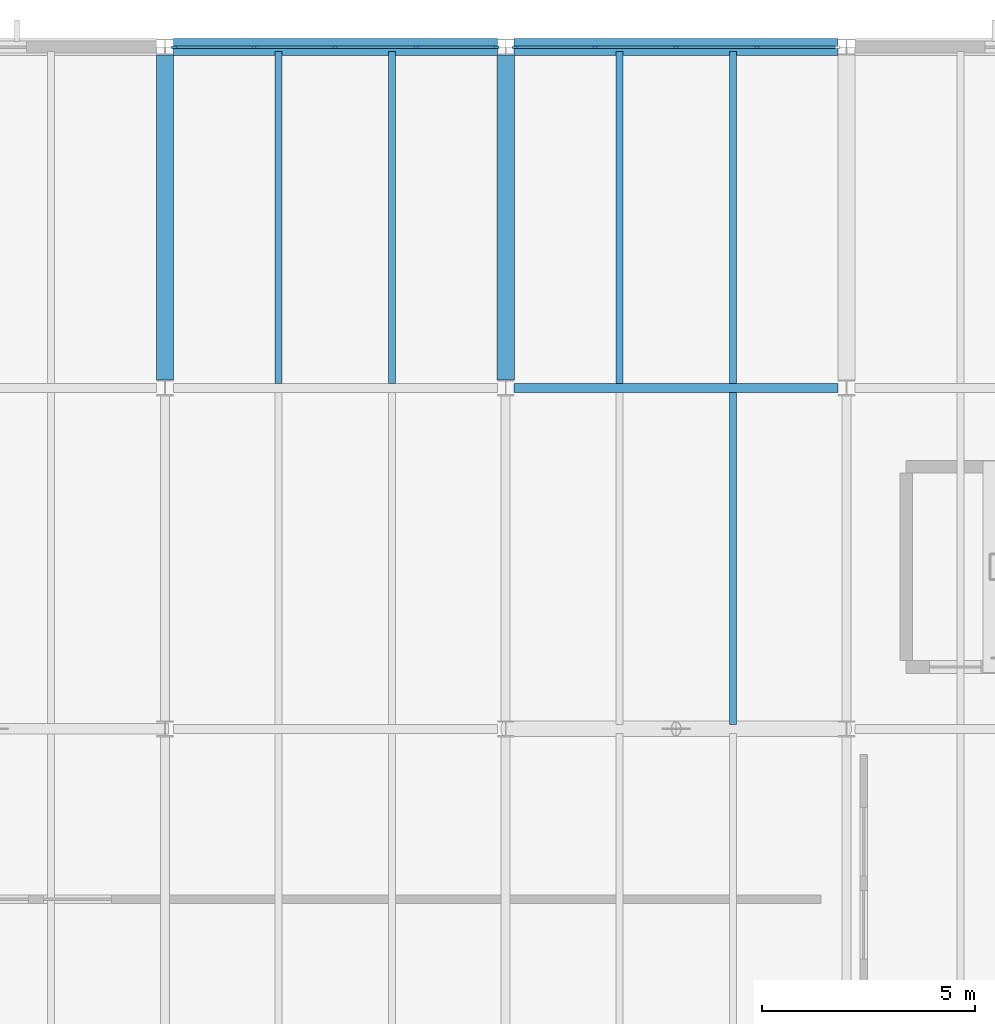
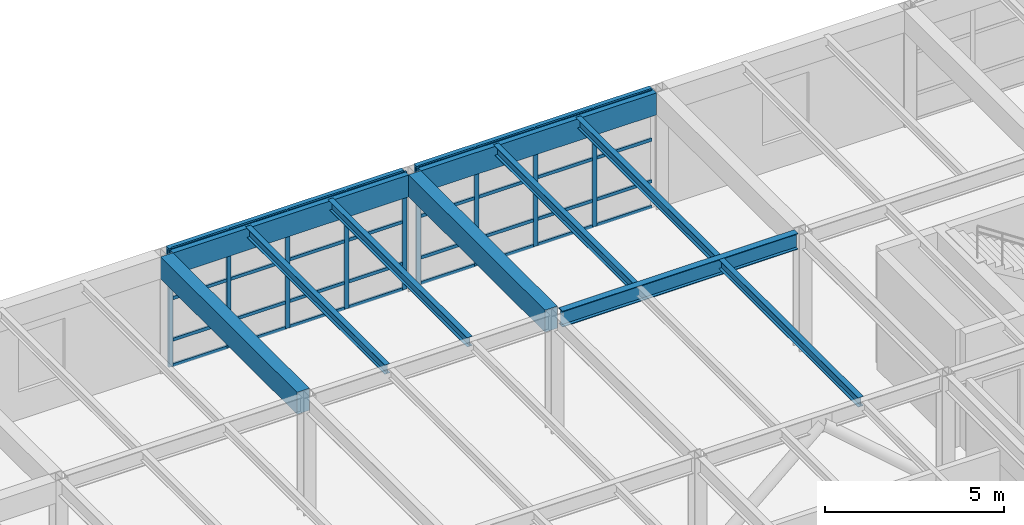
# One storey, part 16 of 48: 41 members, 10 beams, 2 elements without a shape of their own.
"""IFC4 building model written with IfcOpenShell, lengths in metres."""

from ifc_helpers import new_model, si_unit, direction, frame, origin, origin_2d, place, context, subcontext, project, spatial, rectangle, i_section, extrude, material, layer, layer_set, material_profile, profile_set, type_object, element, aggregate, save


model = new_model("IFC4")

# Units and contexts
model_context = context("Model", 3, precision=1e-05, world=origin(), true_north=direction((0.0, 1.0)))
body_context = subcontext(model_context, "Body", "Model", "MODEL_VIEW")
ifc_project = project(units=[si_unit("LENGTHUNIT", "METRE"), si_unit("AREAUNIT", "SQUARE_METRE"), si_unit("VOLUMEUNIT", "CUBIC_METRE"), si_unit("PLANEANGLEUNIT", "RADIAN"), si_unit("MASSUNIT", "GRAM", prefix="KILO")], contexts=[model_context])

# Site, building, storey
site_placement = place(None, origin())
site = spatial("IfcSite", under=ifc_project, at=site_placement, CompositionType="ELEMENT")
building_placement = place(site_placement, origin())
building = spatial("IfcBuilding", under=site, at=building_placement, Name="Varnela Railside Interchange", CompositionType="ELEMENT")
storey_placement = place(building_placement, frame((0.0, 0.0, 11.199951171875)))
storey = spatial("IfcBuildingStorey", under=building, at=storey_placement, Name="L02", CompositionType="ELEMENT", Elevation=11.199951171875)

# Beams
ifc_material_1 = material(Name="Steel AR 350 (350 MPa)", Category="steel")
ifc_material_profile_1 = material_profile(ifc_material_1, i_section(OverallWidth=0.2119140625, OverallDepth=0.5439453125, WebThickness=0.01318359375, FlangeThickness=0.021240234375, at=origin_2d()), Name="W530x123")
ifc_profile_set_1 = profile_set([ifc_material_profile_1], Name="Steel AR 350 (350 MPa)")
beam_type_1 = type_object("IfcBeamType", Name="Composite Heavy Girder B-16", PredefinedType="BEAM", material=ifc_profile_set_1)
beam_placement = place(storey_placement, frame((28.197021484375, 86.0, 3.72802734375), z_axis=(1.0, 0.0, 0.0), x_axis=(0.0, 1.0, 0.0)))
element("IfcBeam", 1, at=beam_placement, inside=storey, type_object=beam_type_1, Name="Composite Heavy Girder B-16 (L02) (BM-2006)", PredefinedType="BEAM", context=body_context, shape_type="SweptSolid", body=[
    extrude(i_section(OverallWidth=0.2119140625, OverallDepth=0.5439453125, WebThickness=0.01318359375, FlangeThickness=0.021240234375, at=origin_2d()), origin(), (0.0, 0.0, 1.0), 7.60595703125),
])
ifc_material_profile_2 = material_profile(ifc_material_1, i_section(OverallWidth=0.1669921875, OverallDepth=0.31689453125, WebThickness=0.007568359375, FlangeThickness=0.01318359375, at=origin_2d()), Name="W310x52")
ifc_profile_set_2 = profile_set([ifc_material_profile_2], Name="Steel AR 350 (350 MPa)")
beam_type_2 = type_object("IfcBeamType", Name="Composite Long-Span Joist J-03", PredefinedType="JOIST", material=ifc_profile_set_2)
for number, where, z_axis, x_axis, name in (
    (2, (22.669921875, 86.10595703125, 3.841552734375), (0.0, 1.0, 0.0), (-1.0, 0.0, 0.0), "Composite Long-Span Joist J-03 (L02) (BM-1886)"),
    (3, (25.330078125, 86.10595703125, 3.841552734375), (0.0, 1.0, 0.0), (-1.0, 0.0, 0.0), "Composite Long-Span Joist J-03 (L02) (BM-1887)"),
    (4, (33.330078125, 78.10595703125, 3.841552734375), (0.0, 1.0, 0.0), (-1.0, 0.0, 0.0), "Composite Long-Span Joist J-03 (L02) (BM-1905)"),
    (5, (30.669921875, 86.10595703125, 3.841552734375), (0.0, 1.0, 0.0), (-1.0, 0.0, 0.0), "Composite Long-Span Joist J-03 (L02) (BM-1896)"),
    (6, (33.330078125, 86.10595703125, 3.841552734375), (0.0, 1.0, 0.0), (-1.0, 0.0, 0.0), "Composite Long-Span Joist J-03 (L02) (BM-1897)"),
):
    element("IfcBeam", number, at=place(storey_placement, frame(where, z_axis=z_axis, x_axis=x_axis)), inside=storey, type_object=beam_type_2, Name=name, PredefinedType="JOIST", context=body_context, shape_type="SweptSolid", body=[
        extrude(i_section(OverallWidth=0.1669921875, OverallDepth=0.31689453125, WebThickness=0.007568359375, FlangeThickness=0.01318359375, at=origin_2d()), origin(), (0.0, 0.0, 1.0), 7.7880859375),
    ])

# Curtain wall, members
ifc_material_2 = material(Name="Aluminium 6063-T6", Category="aluminium")
ifc_layer = layer(ifc_material_2, 0.035888671875)
ifc_layer_set = layer_set([ifc_layer], Name="Aluminium 6063-T6")
curtain_wall_type = type_object("IfcCurtainWallType", Name="Operations Wing Facade Curtain Wall CW-03", PredefinedType="USERDEFINED", material=ifc_layer_set)
curtain_wall_1_placement = place(storey_placement, origin())
curtain_wall_1 = element("IfcCurtainWall", 7, at=curtain_wall_1_placement, inside=storey, type_object=curtain_wall_type, Name="Curtain Wall CW-03 (L02) (CW-074)", ObjectType="CURTAIN WALL", PredefinedType="USERDEFINED")
ifc_material_profile_3 = material_profile(ifc_material_2, rectangle(XDim=0.06005859375, YDim=0.139892578125, at=origin_2d()), Name="ALU 60x140")
ifc_profile_set_3 = profile_set([ifc_material_profile_3], Name="Aluminium 6063-T6")
member_type_1 = type_object("IfcMemberType", Name="Curtain Wall Mullion ML-01", PredefinedType="MULLION", material=ifc_profile_set_3)
member_1_placement = place(storey_placement, frame((20.22705078125, 94.0, 0.0), z_axis=(0.0, 0.0, 1.0), x_axis=(0.0, 1.0, 0.0)))
member_1 = element("IfcMember", 8, at=member_1_placement, type_object=member_type_1, Name="CW-03 mullion 1", PredefinedType="MULLION", context=body_context, shape_type="SweptSolid", body=[
    extrude(rectangle(XDim=0.06005859375, YDim=0.139892578125, at=origin_2d()), origin(), (0.0, 0.0, 1.0), 4.0),
])
member_2_placement = place(storey_placement, frame((22.098388671875, 94.0, 0.0), z_axis=(0.0, 0.0, 1.0), x_axis=(0.0, 1.0, 0.0)))
member_2 = element("IfcMember", 9, at=member_2_placement, type_object=member_type_1, Name="CW-03 mullion 2", PredefinedType="MULLION", context=body_context, shape_type="SweptSolid", body=[
    extrude(rectangle(XDim=0.06005859375, YDim=0.139892578125, at=origin_2d()), origin(), (0.0, 0.0, 1.0), 4.0),
])
member_3_placement = place(storey_placement, frame((24.0, 94.0, 0.0), z_axis=(0.0, 0.0, 1.0), x_axis=(0.0, 1.0, 0.0)))
member_3 = element("IfcMember", 10, at=member_3_placement, type_object=member_type_1, Name="CW-03 mullion 3", PredefinedType="MULLION", context=body_context, shape_type="SweptSolid", body=[
    extrude(rectangle(XDim=0.06005859375, YDim=0.139892578125, at=origin_2d()), origin(), (0.0, 0.0, 1.0), 4.0),
])
member_4_placement = place(storey_placement, frame((25.901611328125, 94.0, 0.0), z_axis=(0.0, 0.0, 1.0), x_axis=(0.0, 1.0, 0.0)))
member_4 = element("IfcMember", 11, at=member_4_placement, type_object=member_type_1, Name="CW-03 mullion 4", PredefinedType="MULLION", context=body_context, shape_type="SweptSolid", body=[
    extrude(rectangle(XDim=0.06005859375, YDim=0.139892578125, at=origin_2d()), origin(), (0.0, 0.0, 1.0), 4.0),
])
member_5_placement = place(storey_placement, frame((27.77294921875, 94.0, 0.0), z_axis=(0.0, 0.0, 1.0), x_axis=(0.0, 1.0, 0.0)))
member_5 = element("IfcMember", 12, at=member_5_placement, type_object=member_type_1, Name="CW-03 mullion 5", PredefinedType="MULLION", context=body_context, shape_type="SweptSolid", body=[
    extrude(rectangle(XDim=0.06005859375, YDim=0.139892578125, at=origin_2d()), origin(), (0.0, 0.0, 1.0), 4.0),
])

curtain_wall_2_placement = place(storey_placement, origin())
curtain_wall_2 = element("IfcCurtainWall", 13, at=curtain_wall_2_placement, inside=storey, type_object=curtain_wall_type, Name="Curtain Wall CW-03 (L02) (CW-075)", ObjectType="CURTAIN WALL", PredefinedType="USERDEFINED")
member_6_placement = place(storey_placement, frame((28.22705078125, 94.0, 0.0), z_axis=(0.0, 0.0, 1.0), x_axis=(0.0, 1.0, 0.0)))
member_6 = element("IfcMember", 14, at=member_6_placement, type_object=member_type_1, Name="CW-03 mullion 1", PredefinedType="MULLION", context=body_context, shape_type="SweptSolid", body=[
    extrude(rectangle(XDim=0.06005859375, YDim=0.139892578125, at=origin_2d()), origin(), (0.0, 0.0, 1.0), 4.0),
])
member_7_placement = place(storey_placement, frame((30.098388671875, 94.0, 0.0), z_axis=(0.0, 0.0, 1.0), x_axis=(0.0, 1.0, 0.0)))
member_7 = element("IfcMember", 15, at=member_7_placement, type_object=member_type_1, Name="CW-03 mullion 2", PredefinedType="MULLION", context=body_context, shape_type="SweptSolid", body=[
    extrude(rectangle(XDim=0.06005859375, YDim=0.139892578125, at=origin_2d()), origin(), (0.0, 0.0, 1.0), 4.0),
])
member_8_placement = place(storey_placement, frame((32.0, 94.0, 0.0), z_axis=(0.0, 0.0, 1.0), x_axis=(0.0, 1.0, 0.0)))
member_8 = element("IfcMember", 16, at=member_8_placement, type_object=member_type_1, Name="CW-03 mullion 3", PredefinedType="MULLION", context=body_context, shape_type="SweptSolid", body=[
    extrude(rectangle(XDim=0.06005859375, YDim=0.139892578125, at=origin_2d()), origin(), (0.0, 0.0, 1.0), 4.0),
])
member_9_placement = place(storey_placement, frame((33.901611328125, 94.0, 0.0), z_axis=(0.0, 0.0, 1.0), x_axis=(0.0, 1.0, 0.0)))
member_9 = element("IfcMember", 17, at=member_9_placement, type_object=member_type_1, Name="CW-03 mullion 4", PredefinedType="MULLION", context=body_context, shape_type="SweptSolid", body=[
    extrude(rectangle(XDim=0.06005859375, YDim=0.139892578125, at=origin_2d()), origin(), (0.0, 0.0, 1.0), 4.0),
])

# Member
ifc_material_profile_4 = material_profile(ifc_material_2, rectangle(XDim=0.06005859375, YDim=0.110107421875, at=origin_2d()), Name="ALU 60x110")
ifc_profile_set_4 = profile_set([ifc_material_profile_4], Name="Aluminium 6063-T6")
member_type_2 = type_object("IfcMemberType", Name="Curtain Wall Transom TR-01", PredefinedType="USERDEFINED", material=ifc_profile_set_4)
member_10_placement = place(storey_placement, frame((20.257080078125, 94.0, 0.030029296875), z_axis=(1.0, 0.0, 0.0), x_axis=(0.0, 1.0, 0.0)))
member_10 = element("IfcMember", 18, at=member_10_placement, type_object=member_type_2, Name="CW-03 transom 1.1", ObjectType="TRANSOM", PredefinedType="USERDEFINED", context=body_context, shape_type="SweptSolid", body=[
    extrude(rectangle(XDim=0.06005859375, YDim=0.110107421875, at=origin_2d()), origin(), (0.0, 0.0, 1.0), 1.8115234375),
])

member_11_placement = place(storey_placement, frame((20.257080078125, 94.0, 0.900146484375), z_axis=(1.0, 0.0, 0.0), x_axis=(0.0, 1.0, 0.0)))
member_11 = element("IfcMember", 19, at=member_11_placement, type_object=member_type_2, Name="CW-03 transom 1.2", ObjectType="TRANSOM", PredefinedType="USERDEFINED", context=body_context, shape_type="SweptSolid", body=[
    extrude(rectangle(XDim=0.06005859375, YDim=0.110107421875, at=origin_2d()), origin(), (0.0, 0.0, 1.0), 1.8115234375),
])

member_12_placement = place(storey_placement, frame((20.257080078125, 94.0, 2.320068359375), z_axis=(1.0, 0.0, 0.0), x_axis=(0.0, 1.0, 0.0)))
member_12 = element("IfcMember", 20, at=member_12_placement, type_object=member_type_2, Name="CW-03 transom 1.3", ObjectType="TRANSOM", PredefinedType="USERDEFINED", context=body_context, shape_type="SweptSolid", body=[
    extrude(rectangle(XDim=0.06005859375, YDim=0.110107421875, at=origin_2d()), origin(), (0.0, 0.0, 1.0), 1.8115234375),
])

member_13_placement = place(storey_placement, frame((20.257080078125, 94.0, 3.969970703125), z_axis=(1.0, 0.0, 0.0), x_axis=(0.0, 1.0, 0.0)))
member_13 = element("IfcMember", 21, at=member_13_placement, type_object=member_type_2, Name="CW-03 transom 1.4", ObjectType="TRANSOM", PredefinedType="USERDEFINED", context=body_context, shape_type="SweptSolid", body=[
    extrude(rectangle(XDim=0.06005859375, YDim=0.110107421875, at=origin_2d()), origin(), (0.0, 0.0, 1.0), 1.8115234375),
])

member_14_placement = place(storey_placement, frame((22.12841796875, 94.0, 0.030029296875), z_axis=(1.0, 0.0, 0.0), x_axis=(0.0, 1.0, 0.0)))
member_14 = element("IfcMember", 22, at=member_14_placement, type_object=member_type_2, Name="CW-03 transom 2.1", ObjectType="TRANSOM", PredefinedType="USERDEFINED", context=body_context, shape_type="SweptSolid", body=[
    extrude(rectangle(XDim=0.06005859375, YDim=0.110107421875, at=origin_2d()), origin(), (0.0, 0.0, 1.0), 1.841552734375),
])

member_15_placement = place(storey_placement, frame((22.12841796875, 94.0, 0.900146484375), z_axis=(1.0, 0.0, 0.0), x_axis=(0.0, 1.0, 0.0)))
member_15 = element("IfcMember", 23, at=member_15_placement, type_object=member_type_2, Name="CW-03 transom 2.2", ObjectType="TRANSOM", PredefinedType="USERDEFINED", context=body_context, shape_type="SweptSolid", body=[
    extrude(rectangle(XDim=0.06005859375, YDim=0.110107421875, at=origin_2d()), origin(), (0.0, 0.0, 1.0), 1.841552734375),
])

member_16_placement = place(storey_placement, frame((22.12841796875, 94.0, 2.320068359375), z_axis=(1.0, 0.0, 0.0), x_axis=(0.0, 1.0, 0.0)))
member_16 = element("IfcMember", 24, at=member_16_placement, type_object=member_type_2, Name="CW-03 transom 2.3", ObjectType="TRANSOM", PredefinedType="USERDEFINED", context=body_context, shape_type="SweptSolid", body=[
    extrude(rectangle(XDim=0.06005859375, YDim=0.110107421875, at=origin_2d()), origin(), (0.0, 0.0, 1.0), 1.841552734375),
])

member_17_placement = place(storey_placement, frame((22.12841796875, 94.0, 3.969970703125), z_axis=(1.0, 0.0, 0.0), x_axis=(0.0, 1.0, 0.0)))
member_17 = element("IfcMember", 25, at=member_17_placement, type_object=member_type_2, Name="CW-03 transom 2.4", ObjectType="TRANSOM", PredefinedType="USERDEFINED", context=body_context, shape_type="SweptSolid", body=[
    extrude(rectangle(XDim=0.06005859375, YDim=0.110107421875, at=origin_2d()), origin(), (0.0, 0.0, 1.0), 1.841552734375),
])

member_18_placement = place(storey_placement, frame((24.030029296875, 94.0, 0.030029296875), z_axis=(1.0, 0.0, 0.0), x_axis=(0.0, 1.0, 0.0)))
member_18 = element("IfcMember", 26, at=member_18_placement, type_object=member_type_2, Name="CW-03 transom 3.1", ObjectType="TRANSOM", PredefinedType="USERDEFINED", context=body_context, shape_type="SweptSolid", body=[
    extrude(rectangle(XDim=0.06005859375, YDim=0.110107421875, at=origin_2d()), origin(), (0.0, 0.0, 1.0), 1.841552734375),
])

member_19_placement = place(storey_placement, frame((24.030029296875, 94.0, 0.900146484375), z_axis=(1.0, 0.0, 0.0), x_axis=(0.0, 1.0, 0.0)))
member_19 = element("IfcMember", 27, at=member_19_placement, type_object=member_type_2, Name="CW-03 transom 3.2", ObjectType="TRANSOM", PredefinedType="USERDEFINED", context=body_context, shape_type="SweptSolid", body=[
    extrude(rectangle(XDim=0.06005859375, YDim=0.110107421875, at=origin_2d()), origin(), (0.0, 0.0, 1.0), 1.841552734375),
])

member_20_placement = place(storey_placement, frame((24.030029296875, 94.0, 2.320068359375), z_axis=(1.0, 0.0, 0.0), x_axis=(0.0, 1.0, 0.0)))
member_20 = element("IfcMember", 28, at=member_20_placement, type_object=member_type_2, Name="CW-03 transom 3.3", ObjectType="TRANSOM", PredefinedType="USERDEFINED", context=body_context, shape_type="SweptSolid", body=[
    extrude(rectangle(XDim=0.06005859375, YDim=0.110107421875, at=origin_2d()), origin(), (0.0, 0.0, 1.0), 1.841552734375),
])

member_21_placement = place(storey_placement, frame((24.030029296875, 94.0, 3.969970703125), z_axis=(1.0, 0.0, 0.0), x_axis=(0.0, 1.0, 0.0)))
member_21 = element("IfcMember", 29, at=member_21_placement, type_object=member_type_2, Name="CW-03 transom 3.4", ObjectType="TRANSOM", PredefinedType="USERDEFINED", context=body_context, shape_type="SweptSolid", body=[
    extrude(rectangle(XDim=0.06005859375, YDim=0.110107421875, at=origin_2d()), origin(), (0.0, 0.0, 1.0), 1.841552734375),
])

member_22_placement = place(storey_placement, frame((25.931396484375, 94.0, 0.030029296875), z_axis=(1.0, 0.0, 0.0), x_axis=(0.0, 1.0, 0.0)))
member_22 = element("IfcMember", 30, at=member_22_placement, type_object=member_type_2, Name="CW-03 transom 4.1", ObjectType="TRANSOM", PredefinedType="USERDEFINED", context=body_context, shape_type="SweptSolid", body=[
    extrude(rectangle(XDim=0.06005859375, YDim=0.110107421875, at=origin_2d()), origin(), (0.0, 0.0, 1.0), 1.8115234375),
])

member_23_placement = place(storey_placement, frame((25.931396484375, 94.0, 0.900146484375), z_axis=(1.0, 0.0, 0.0), x_axis=(0.0, 1.0, 0.0)))
member_23 = element("IfcMember", 31, at=member_23_placement, type_object=member_type_2, Name="CW-03 transom 4.2", ObjectType="TRANSOM", PredefinedType="USERDEFINED", context=body_context, shape_type="SweptSolid", body=[
    extrude(rectangle(XDim=0.06005859375, YDim=0.110107421875, at=origin_2d()), origin(), (0.0, 0.0, 1.0), 1.8115234375),
])

member_24_placement = place(storey_placement, frame((25.931396484375, 94.0, 2.320068359375), z_axis=(1.0, 0.0, 0.0), x_axis=(0.0, 1.0, 0.0)))
member_24 = element("IfcMember", 32, at=member_24_placement, type_object=member_type_2, Name="CW-03 transom 4.3", ObjectType="TRANSOM", PredefinedType="USERDEFINED", context=body_context, shape_type="SweptSolid", body=[
    extrude(rectangle(XDim=0.06005859375, YDim=0.110107421875, at=origin_2d()), origin(), (0.0, 0.0, 1.0), 1.8115234375),
])

member_25_placement = place(storey_placement, frame((25.931396484375, 94.0, 3.969970703125), z_axis=(1.0, 0.0, 0.0), x_axis=(0.0, 1.0, 0.0)))
member_25 = element("IfcMember", 33, at=member_25_placement, type_object=member_type_2, Name="CW-03 transom 4.4", ObjectType="TRANSOM", PredefinedType="USERDEFINED", context=body_context, shape_type="SweptSolid", body=[
    extrude(rectangle(XDim=0.06005859375, YDim=0.110107421875, at=origin_2d()), origin(), (0.0, 0.0, 1.0), 1.8115234375),
])

aggregate(curtain_wall_1, [member_1, member_2, member_3, member_4, member_5, member_10, member_11, member_12, member_13, member_14, member_15, member_16, member_17, member_18, member_19, member_20, member_21, member_22, member_23, member_24, member_25])

member_26_placement = place(storey_placement, frame((28.257080078125, 94.0, 0.030029296875), z_axis=(1.0, 0.0, 0.0), x_axis=(0.0, 1.0, 0.0)))
member_26 = element("IfcMember", 34, at=member_26_placement, type_object=member_type_2, Name="CW-03 transom 1.1", ObjectType="TRANSOM", PredefinedType="USERDEFINED", context=body_context, shape_type="SweptSolid", body=[
    extrude(rectangle(XDim=0.06005859375, YDim=0.110107421875, at=origin_2d()), origin(), (0.0, 0.0, 1.0), 1.8115234375),
])

member_27_placement = place(storey_placement, frame((28.257080078125, 94.0, 0.900146484375), z_axis=(1.0, 0.0, 0.0), x_axis=(0.0, 1.0, 0.0)))
member_27 = element("IfcMember", 35, at=member_27_placement, type_object=member_type_2, Name="CW-03 transom 1.2", ObjectType="TRANSOM", PredefinedType="USERDEFINED", context=body_context, shape_type="SweptSolid", body=[
    extrude(rectangle(XDim=0.06005859375, YDim=0.110107421875, at=origin_2d()), origin(), (0.0, 0.0, 1.0), 1.8115234375),
])

member_28_placement = place(storey_placement, frame((28.257080078125, 94.0, 2.320068359375), z_axis=(1.0, 0.0, 0.0), x_axis=(0.0, 1.0, 0.0)))
member_28 = element("IfcMember", 36, at=member_28_placement, type_object=member_type_2, Name="CW-03 transom 1.3", ObjectType="TRANSOM", PredefinedType="USERDEFINED", context=body_context, shape_type="SweptSolid", body=[
    extrude(rectangle(XDim=0.06005859375, YDim=0.110107421875, at=origin_2d()), origin(), (0.0, 0.0, 1.0), 1.8115234375),
])

member_29_placement = place(storey_placement, frame((28.257080078125, 94.0, 3.969970703125), z_axis=(1.0, 0.0, 0.0), x_axis=(0.0, 1.0, 0.0)))
member_29 = element("IfcMember", 37, at=member_29_placement, type_object=member_type_2, Name="CW-03 transom 1.4", ObjectType="TRANSOM", PredefinedType="USERDEFINED", context=body_context, shape_type="SweptSolid", body=[
    extrude(rectangle(XDim=0.06005859375, YDim=0.110107421875, at=origin_2d()), origin(), (0.0, 0.0, 1.0), 1.8115234375),
])

member_30_placement = place(storey_placement, frame((30.12841796875, 94.0, 0.030029296875), z_axis=(1.0, 0.0, 0.0), x_axis=(0.0, 1.0, 0.0)))
member_30 = element("IfcMember", 38, at=member_30_placement, type_object=member_type_2, Name="CW-03 transom 2.1", ObjectType="TRANSOM", PredefinedType="USERDEFINED", context=body_context, shape_type="SweptSolid", body=[
    extrude(rectangle(XDim=0.06005859375, YDim=0.110107421875, at=origin_2d()), origin(), (0.0, 0.0, 1.0), 1.841552734375),
])

member_31_placement = place(storey_placement, frame((30.12841796875, 94.0, 0.900146484375), z_axis=(1.0, 0.0, 0.0), x_axis=(0.0, 1.0, 0.0)))
member_31 = element("IfcMember", 39, at=member_31_placement, type_object=member_type_2, Name="CW-03 transom 2.2", ObjectType="TRANSOM", PredefinedType="USERDEFINED", context=body_context, shape_type="SweptSolid", body=[
    extrude(rectangle(XDim=0.06005859375, YDim=0.110107421875, at=origin_2d()), origin(), (0.0, 0.0, 1.0), 1.841552734375),
])

member_32_placement = place(storey_placement, frame((30.12841796875, 94.0, 2.320068359375), z_axis=(1.0, 0.0, 0.0), x_axis=(0.0, 1.0, 0.0)))
member_32 = element("IfcMember", 40, at=member_32_placement, type_object=member_type_2, Name="CW-03 transom 2.3", ObjectType="TRANSOM", PredefinedType="USERDEFINED", context=body_context, shape_type="SweptSolid", body=[
    extrude(rectangle(XDim=0.06005859375, YDim=0.110107421875, at=origin_2d()), origin(), (0.0, 0.0, 1.0), 1.841552734375),
])

member_33_placement = place(storey_placement, frame((30.12841796875, 94.0, 3.969970703125), z_axis=(1.0, 0.0, 0.0), x_axis=(0.0, 1.0, 0.0)))
member_33 = element("IfcMember", 41, at=member_33_placement, type_object=member_type_2, Name="CW-03 transom 2.4", ObjectType="TRANSOM", PredefinedType="USERDEFINED", context=body_context, shape_type="SweptSolid", body=[
    extrude(rectangle(XDim=0.06005859375, YDim=0.110107421875, at=origin_2d()), origin(), (0.0, 0.0, 1.0), 1.841552734375),
])

member_34_placement = place(storey_placement, frame((32.030029296875, 94.0, 0.030029296875), z_axis=(1.0, 0.0, 0.0), x_axis=(0.0, 1.0, 0.0)))
member_34 = element("IfcMember", 42, at=member_34_placement, type_object=member_type_2, Name="CW-03 transom 3.1", ObjectType="TRANSOM", PredefinedType="USERDEFINED", context=body_context, shape_type="SweptSolid", body=[
    extrude(rectangle(XDim=0.06005859375, YDim=0.110107421875, at=origin_2d()), origin(), (0.0, 0.0, 1.0), 1.841552734375),
])

member_35_placement = place(storey_placement, frame((32.030029296875, 94.0, 0.900146484375), z_axis=(1.0, 0.0, 0.0), x_axis=(0.0, 1.0, 0.0)))
member_35 = element("IfcMember", 43, at=member_35_placement, type_object=member_type_2, Name="CW-03 transom 3.2", ObjectType="TRANSOM", PredefinedType="USERDEFINED", context=body_context, shape_type="SweptSolid", body=[
    extrude(rectangle(XDim=0.06005859375, YDim=0.110107421875, at=origin_2d()), origin(), (0.0, 0.0, 1.0), 1.841552734375),
])

member_36_placement = place(storey_placement, frame((32.030029296875, 94.0, 2.320068359375), z_axis=(1.0, 0.0, 0.0), x_axis=(0.0, 1.0, 0.0)))
member_36 = element("IfcMember", 44, at=member_36_placement, type_object=member_type_2, Name="CW-03 transom 3.3", ObjectType="TRANSOM", PredefinedType="USERDEFINED", context=body_context, shape_type="SweptSolid", body=[
    extrude(rectangle(XDim=0.06005859375, YDim=0.110107421875, at=origin_2d()), origin(), (0.0, 0.0, 1.0), 1.841552734375),
])

member_37_placement = place(storey_placement, frame((32.030029296875, 94.0, 3.969970703125), z_axis=(1.0, 0.0, 0.0), x_axis=(0.0, 1.0, 0.0)))
member_37 = element("IfcMember", 45, at=member_37_placement, type_object=member_type_2, Name="CW-03 transom 3.4", ObjectType="TRANSOM", PredefinedType="USERDEFINED", context=body_context, shape_type="SweptSolid", body=[
    extrude(rectangle(XDim=0.06005859375, YDim=0.110107421875, at=origin_2d()), origin(), (0.0, 0.0, 1.0), 1.841552734375),
])

member_38_placement = place(storey_placement, frame((33.931396484375, 94.0, 0.030029296875), z_axis=(1.0, 0.0, 0.0), x_axis=(0.0, 1.0, 0.0)))
member_38 = element("IfcMember", 46, at=member_38_placement, type_object=member_type_2, Name="CW-03 transom 4.1", ObjectType="TRANSOM", PredefinedType="USERDEFINED", context=body_context, shape_type="SweptSolid", body=[
    extrude(rectangle(XDim=0.06005859375, YDim=0.110107421875, at=origin_2d()), origin(), (0.0, 0.0, 1.0), 1.8115234375),
])

member_39_placement = place(storey_placement, frame((33.931396484375, 94.0, 0.900146484375), z_axis=(1.0, 0.0, 0.0), x_axis=(0.0, 1.0, 0.0)))
member_39 = element("IfcMember", 47, at=member_39_placement, type_object=member_type_2, Name="CW-03 transom 4.2", ObjectType="TRANSOM", PredefinedType="USERDEFINED", context=body_context, shape_type="SweptSolid", body=[
    extrude(rectangle(XDim=0.06005859375, YDim=0.110107421875, at=origin_2d()), origin(), (0.0, 0.0, 1.0), 1.8115234375),
])

member_40_placement = place(storey_placement, frame((33.931396484375, 94.0, 2.320068359375), z_axis=(1.0, 0.0, 0.0), x_axis=(0.0, 1.0, 0.0)))
member_40 = element("IfcMember", 48, at=member_40_placement, type_object=member_type_2, Name="CW-03 transom 4.3", ObjectType="TRANSOM", PredefinedType="USERDEFINED", context=body_context, shape_type="SweptSolid", body=[
    extrude(rectangle(XDim=0.06005859375, YDim=0.110107421875, at=origin_2d()), origin(), (0.0, 0.0, 1.0), 1.8115234375),
])

member_41_placement = place(storey_placement, frame((33.931396484375, 94.0, 3.969970703125), z_axis=(1.0, 0.0, 0.0), x_axis=(0.0, 1.0, 0.0)))
member_41 = element("IfcMember", 49, at=member_41_placement, type_object=member_type_2, Name="CW-03 transom 4.4", ObjectType="TRANSOM", PredefinedType="USERDEFINED", context=body_context, shape_type="SweptSolid", body=[
    extrude(rectangle(XDim=0.06005859375, YDim=0.110107421875, at=origin_2d()), origin(), (0.0, 0.0, 1.0), 1.8115234375),
])

aggregate(curtain_wall_2, [member_6, member_7, member_8, member_9, member_26, member_27, member_28, member_29, member_30, member_31, member_32, member_33, member_34, member_35, member_36, member_37, member_38, member_39, member_40, member_41])

# Beams
ifc_material_3 = material(Name="Concrete C40 precast", Category="concrete")
ifc_material_profile_5 = material_profile(ifc_material_3, rectangle(XDim=0.39990234375, YDim=0.75, at=origin_2d()), Name="PC 400x750")
ifc_profile_set_5 = profile_set([ifc_material_profile_5], Name="Concrete C40 precast")
beam_type_3 = type_object("IfcBeamType", Name="Precast Facade Spandrel SP-03", PredefinedType="SPANDREL", material=ifc_profile_set_5)
for number, where, z_axis, x_axis, name in (
    (50, (20.197021484375, 94.0, 3.625), (1.0, 0.0, 0.0), (0.0, 1.0, 0.0), "Precast Facade Spandrel SP-03 (L02) (BM-2014)"),
    (51, (28.197021484375, 94.0, 3.625), (1.0, 0.0, 0.0), (0.0, 1.0, 0.0), "Precast Facade Spandrel SP-03 (L02) (BM-2015)"),
):
    element("IfcBeam", number, at=place(storey_placement, frame(where, z_axis=z_axis, x_axis=x_axis)), inside=storey, type_object=beam_type_3, Name=name, PredefinedType="SPANDREL", context=body_context, shape_type="SweptSolid", body=[
        extrude(rectangle(XDim=0.39990234375, YDim=0.75, at=origin_2d()), origin(), (0.0, 0.0, 1.0), 7.60595703125),
    ])
for number, where, z_axis, x_axis, name in (
    (52, (20.0, 86.1875, 3.625), (0.0, 1.0, 0.0), (-1.0, 0.0, 0.0), "Precast Facade Spandrel SP-03 (L02) (BM-2072)"),
    (53, (28.0, 86.1875, 3.625), (0.0, 1.0, 0.0), (-1.0, 0.0, 0.0), "Precast Facade Spandrel SP-03 (L02) (BM-2077)"),
):
    element("IfcBeam", number, at=place(storey_placement, frame(where, z_axis=z_axis, x_axis=x_axis)), inside=storey, type_object=beam_type_3, Name=name, PredefinedType="SPANDREL", context=body_context, shape_type="SweptSolid", body=[
        extrude(rectangle(XDim=0.39990234375, YDim=0.75, at=origin_2d()), origin(), (0.0, 0.0, 1.0), 7.625),
    ])

save(model, "model.ifc")
